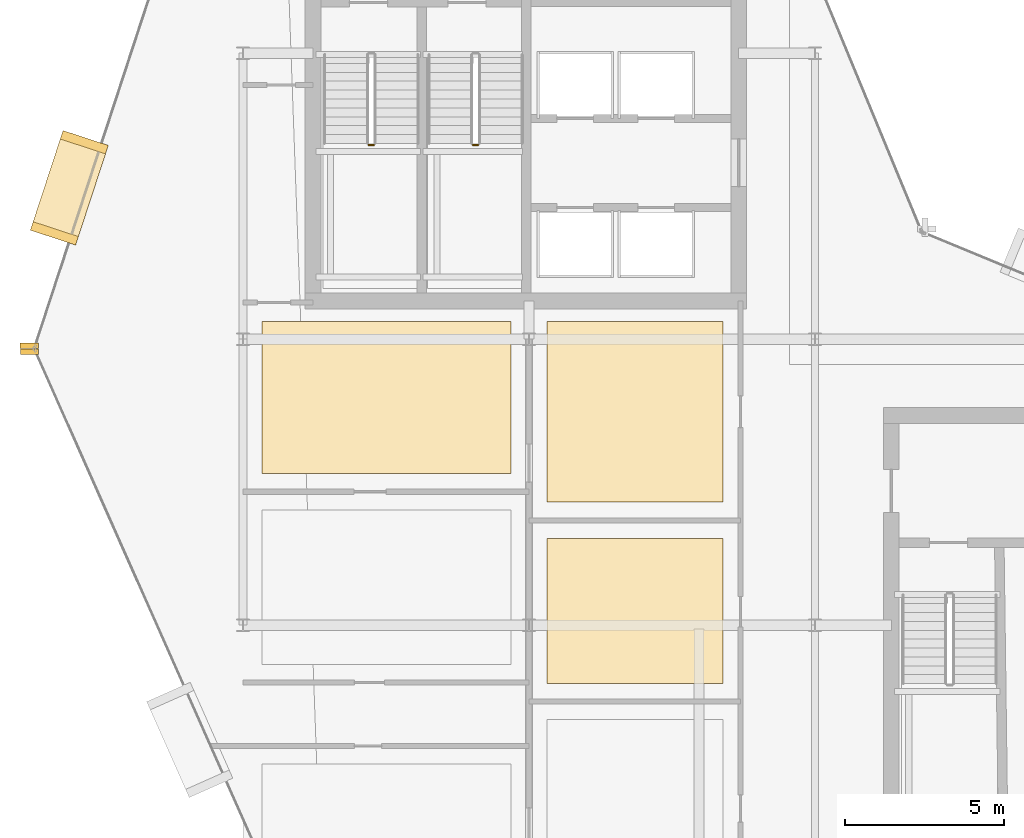
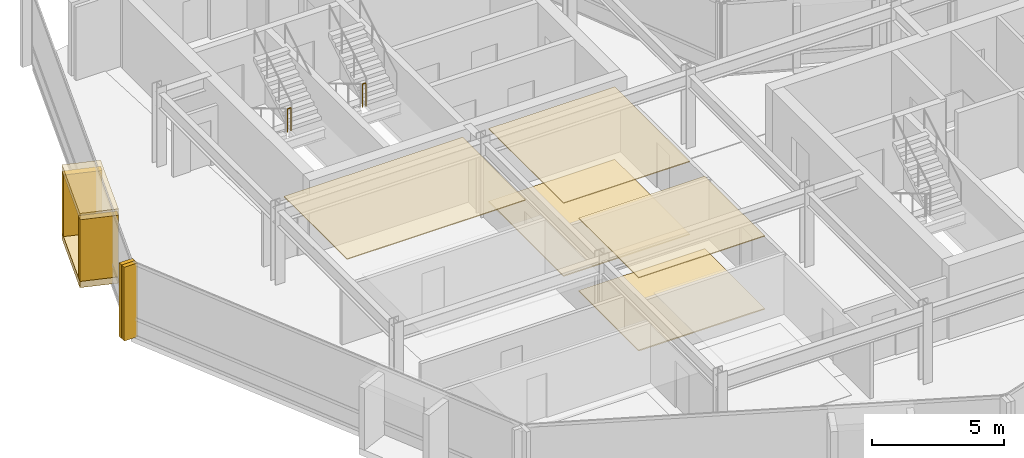
# One storey, part 24 of 28: 11 coverings, 2 railings.
"""IFC4 building model written with IfcOpenShell, lengths in metres."""

from ifc_helpers import new_model, si_unit, direction, frame, origin, origin_2d, place, context, subcontext, project, spatial, polyline, rectangle, circle, outline, extrude, material, layer, layer_set, type_object, element, save


model = new_model("IFC4")

# Units and contexts
model_context = context("Model", 3, precision=1e-05, world=origin(), true_north=direction((0.0, 1.0)))
body_context = subcontext(model_context, "Body", "Model", "MODEL_VIEW")
ifc_project = project(units=[si_unit("LENGTHUNIT", "METRE"), si_unit("AREAUNIT", "SQUARE_METRE"), si_unit("VOLUMEUNIT", "CUBIC_METRE"), si_unit("PLANEANGLEUNIT", "RADIAN"), si_unit("MASSUNIT", "GRAM", prefix="KILO")], contexts=[model_context])

# Site, building, storey
site_placement = place(None, origin())
site = spatial("IfcSite", under=ifc_project, at=site_placement, CompositionType="ELEMENT")
building_placement = place(site_placement, origin())
building = spatial("IfcBuilding", under=site, at=building_placement, Name="Solvaryn Broadcast Tower", CompositionType="ELEMENT")
storey_placement = place(building_placement, frame((0.0, 0.0, 217.300048828125)))
storey = spatial("IfcBuildingStorey", under=building, at=storey_placement, Name="L54", CompositionType="ELEMENT", Elevation=217.300048828125)

# Coverings
ifc_material_1 = material(Name="Micro-Perforated Acoustic Gypsum Ceiling", Category="concrete")
ifc_layer_1 = layer(ifc_material_1, 0.0400390625)
ifc_layer_set_1 = layer_set([ifc_layer_1], Name="CV-CEIL-ACOUSTIC")
covering_type_1 = type_object("IfcCoveringType", Name="CV-CEIL-ACOUSTIC", PredefinedType="CEILING", material=ifc_layer_set_1)
covering_1_placement = place(storey_placement, frame((0.0, 0.0, 3.3798828125)))
element("IfcCovering", 1, at=covering_1_placement, inside=storey, type_object=covering_type_1, Name="L54 Room Acoustic Ceiling 2", PredefinedType="CEILING", context=body_context, shape_type="SweptSolid", body=[
    extrude(outline(polyline([(18.570068359375, 16.169921875), (24.10009765625, 16.169921875), (24.10009765625, 20.72998046875), (18.570068359375, 20.72998046875), (18.570068359375, 16.169921875)])), origin(), (0.0, 0.0, 1.0), 0.0400390625),
])
covering_2_placement = place(storey_placement, frame((0.0, 0.0, 3.3798828125)))
element("IfcCovering", 2, at=covering_2_placement, inside=storey, type_object=covering_type_1, Name="L54 Room Acoustic Ceiling 3", PredefinedType="CEILING", context=body_context, shape_type="SweptSolid", body=[
    extrude(outline(polyline([(18.570068359375, 21.8701171875), (24.10009765625, 21.8701171875), (24.10009765625, 27.56005859375), (18.570068359375, 27.56005859375), (18.570068359375, 21.8701171875)])), origin(), (0.0, 0.0, 1.0), 0.0400390625),
])
covering_3_placement = place(storey_placement, frame((0.0, 0.0, 3.3798828125)))
element("IfcCovering", 3, at=covering_3_placement, inside=storey, type_object=covering_type_1, Name="L54 Room Acoustic Ceiling 6", PredefinedType="CEILING", context=body_context, shape_type="SweptSolid", body=[
    extrude(outline(polyline([(9.60009765625, 22.77001953125), (17.429931640625, 22.77001953125), (17.429931640625, 27.56005859375), (9.60009765625, 27.56005859375), (9.60009765625, 22.77001953125)])), origin(), (0.0, 0.0, 1.0), 0.0400390625),
])
ifc_material_2 = material(Name="Newsroom Raised Data Access Flooring", Category="steel")
ifc_layer_2 = layer(ifc_material_2, 0.050048828125)
ifc_layer_set_2 = layer_set([ifc_layer_2], Name="CV-FLOOR-RAISED")
covering_type_2 = type_object("IfcCoveringType", Name="CV-FLOOR-RAISED", PredefinedType="FLOORING", material=ifc_layer_set_2)
covering_4_placement = place(storey_placement, origin())
element("IfcCovering", 4, at=covering_4_placement, inside=storey, type_object=covering_type_2, Name="L54 Room Acoustic Floor Finish 2", PredefinedType="FLOORING", context=body_context, shape_type="SweptSolid", body=[
    extrude(outline(polyline([(18.570068359375, 16.169921875), (24.10009765625, 16.169921875), (24.10009765625, 20.72998046875), (18.570068359375, 20.72998046875), (18.570068359375, 16.169921875)])), origin(), (0.0, 0.0, 1.0), 0.050048828125),
])
covering_5_placement = place(storey_placement, origin())
element("IfcCovering", 5, at=covering_5_placement, inside=storey, type_object=covering_type_2, Name="L54 Room Acoustic Floor Finish 3", PredefinedType="FLOORING", context=body_context, shape_type="SweptSolid", body=[
    extrude(outline(polyline([(18.570068359375, 21.8701171875), (24.10009765625, 21.8701171875), (24.10009765625, 27.56005859375), (18.570068359375, 27.56005859375), (18.570068359375, 21.8701171875)])), origin(), (0.0, 0.0, 1.0), 0.050048828125),
])
ifc_material_3 = material(Name="Glazed Architectural Terracotta Rainscreen Cladding", Category="masonry")
ifc_layer_3 = layer(ifc_material_3, 0.280029296875)
ifc_layer_set_3 = layer_set([ifc_layer_3], Name="CV-TC-CLAD")
covering_type_3 = type_object("IfcCoveringType", Name="CV-TC-CLAD", PredefinedType="CLADDING", material=ifc_layer_set_3)
for number, where, z_axis, x_axis, name in (
    (6, (3.533935546875, 31.763916015625, 3.1298828125), (0.0, 0.0, 1.0), (-0.311505792684, -0.950244253402, 0.0), "L54 Projecting Stone Window Box Hood 1"),
    (7, (3.533935546875, 31.763916015625, -0.01025390625), (0.0, 0.0, 1.0), (-0.311505792684, -0.950244253402, 0.0), "L54 Projecting Stone Window Box Sill 1"),
):
    element("IfcCovering", number, at=place(storey_placement, frame(where, z_axis=z_axis, x_axis=x_axis)), inside=storey, type_object=covering_type_3, Name=name, PredefinedType="CLADDING", context=body_context, shape_type="SweptSolid", body=[
        extrude(rectangle(XDim=3.300048828125, YDim=1.5, at=origin_2d()), origin(), (0.0, 0.0, 1.0), 0.300048828125),
    ])
for number, where, z_axis, x_axis, name in (
    (8, (4.00439453125, 33.198974609375, 0.27978515625), (0.0, 0.0, 1.0), (-0.311505792684, -0.950244253402, 0.0), "L54 Projecting Stone Window Box Cheek 1-1"),
    (9, (3.063720703125, 30.3291015625, 0.27978515625), (0.0, 0.0, 1.0), (-0.311505792684, -0.950244253402, 0.0), "L54 Projecting Stone Window Box Cheek 1-2"),
):
    element("IfcCovering", number, at=place(storey_placement, frame(where, z_axis=z_axis, x_axis=x_axis)), inside=storey, type_object=covering_type_3, Name=name, PredefinedType="CLADDING", context=body_context, shape_type="SweptSolid", body=[
        extrude(rectangle(XDim=0.280029296875, YDim=1.5, at=origin_2d()), origin(), (0.0, 0.0, 1.0), 2.860107421875),
    ])
ifc_material_4 = material(Name="Extruded Architectural Terracotta Fin", Category="masonry")
ifc_layer_4 = layer(ifc_material_4, 0.179931640625)
ifc_layer_set_4 = layer_set([ifc_layer_4], Name="CV-TC-FIN")
covering_type_4 = type_object("IfcCoveringType", Name="CV-TC-FIN", PredefinedType="USERDEFINED", material=ifc_layer_set_4)
for number, where, z_axis, x_axis, name in (
    (10, (2.271240234375, 26.790771484375, 0.0), (0.0, 0.0, 1.0), (1.0, 0.0, 0.0), "L54 Terracotta Vertical Fin FIN-L54-DR1-M01"),
    (11, (2.281005859375, 26.605712890625, 0.0), (0.0, 0.0, 1.0), (1.0, 0.0, 0.0), "L54 Terracotta Vertical Fin FIN-L54-DR2-M00"),
):
    element("IfcCovering", number, at=place(storey_placement, frame(where, z_axis=z_axis, x_axis=x_axis)), inside=storey, type_object=covering_type_4, Name=name, ObjectType="FIN", PredefinedType="USERDEFINED", context=body_context, shape_type="SweptSolid", body=[
        extrude(rectangle(XDim=0.580078125, YDim=0.179931640625, at=origin_2d()), origin(), (0.0, 0.0, 1.0), 3.419921875),
    ])

# Railings
ifc_material_5 = material(Name="Painted Steel Stair Well Guard", Category="steel")
railing_type = type_object("IfcRailingType", Name="RL-STAIR-GUARD", PredefinedType="BALUSTRADE", material=ifc_material_5)
railing_1_placement = place(storey_placement, frame((12.9599609375, 33.110107421875, 1.849853515625)))
element("IfcRailing", 12, at=railing_1_placement, inside=storey, type_object=railing_type, Name="L54 ST1 stair guard 2", PredefinedType="BALUSTRADE", context=body_context, shape_type="SweptSolid", body=[
    extrude(circle(Radius=0.02392578125, at=origin_2d()), frame((0.0, 0.0, 1.076171875), z_axis=(1.0, 0.0, 0.0), x_axis=(0.0, 1.0, 0.0)), (0.0, 0.0, 1.0), 0.150146484375),
    extrude(circle(Radius=0.02099609375, at=origin_2d()), origin(), (0.0, 0.0, 1.0), 1.052001953125),
    extrude(circle(Radius=0.02099609375, at=origin_2d()), frame((0.150146484375, 0.0, 0.0)), (0.0, 0.0, 1.0), 1.052001953125),
])
railing_2_placement = place(storey_placement, frame((16.239990234375, 33.110107421875, 1.849853515625)))
element("IfcRailing", 13, at=railing_2_placement, inside=storey, type_object=railing_type, Name="L54 ST2 stair guard 2", PredefinedType="BALUSTRADE", context=body_context, shape_type="SweptSolid", body=[
    extrude(circle(Radius=0.02392578125, at=origin_2d()), frame((0.0, 0.0, 1.076171875), z_axis=(1.0, 0.0, 0.0), x_axis=(0.0, 1.0, 0.0)), (0.0, 0.0, 1.0), 0.14990234375),
    extrude(circle(Radius=0.02099609375, at=origin_2d()), origin(), (0.0, 0.0, 1.0), 1.052001953125),
    extrude(circle(Radius=0.02099609375, at=origin_2d()), frame((0.14990234375, 0.0, 0.0)), (0.0, 0.0, 1.0), 1.052001953125),
])

save(model, "model.ifc")
